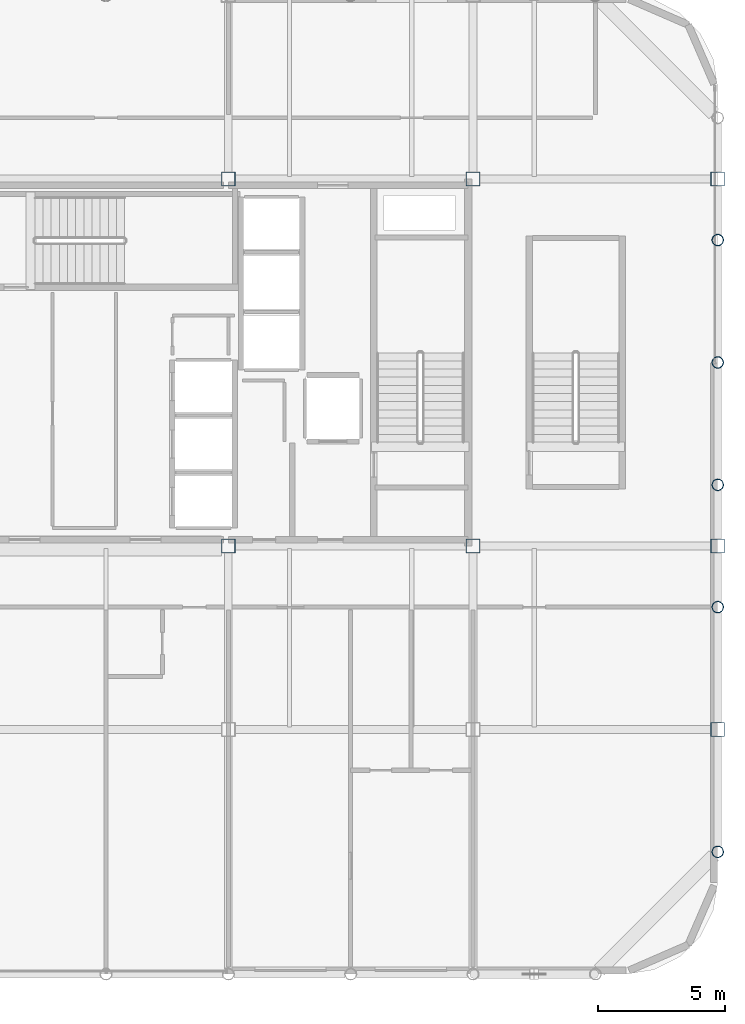
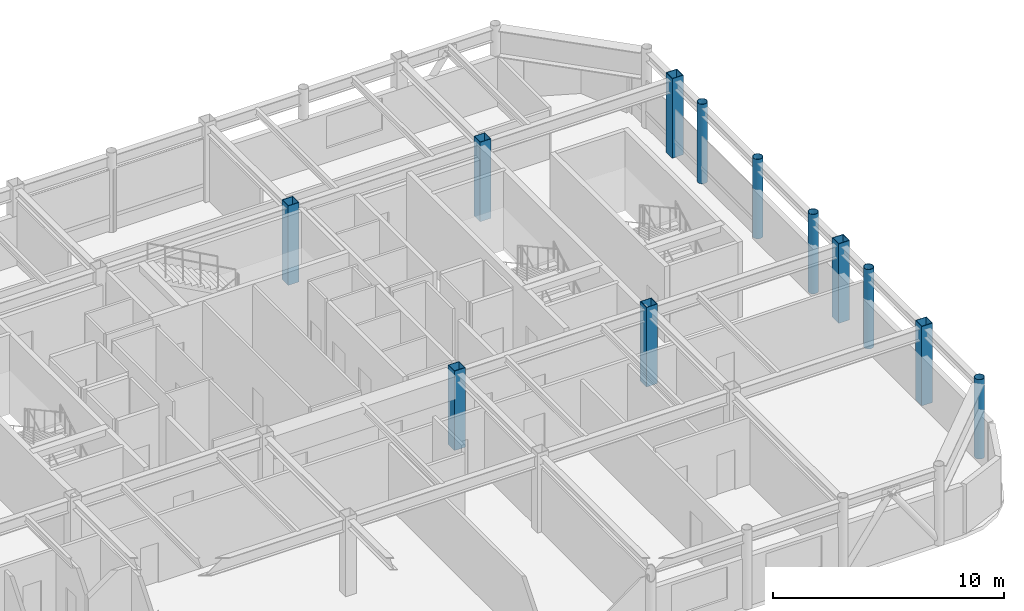
# One storey, part 2 of 21: 12 columns.
"""IFC4 building model written with IfcOpenShell, lengths in metres."""

import ifcopenshell
import ifcopenshell.guid

model = None  # the IFC model being written
_history = None  # IfcOwnerHistory: only IFC2X3 demands one
_inside = {}  # id of a spatial element -> (the spatial element, [elements in it])
_under = {}  # id of a project, library or spatial element -> (it, [spatial elements below it])
_declared = {}  # id of a project -> (the project, [libraries it declares])
_typed = {}  # id of a type object -> (the type object, [elements of that type])
_made_of = {}  # id of a material, layer set ... -> (it, [elements and type objects made of it])


def new_model(schema):
    """Start an empty IFC model of exactly this schema.

    Asked for "IFC4X3", IfcOpenShell would pick the latest addendum, in which some entities
    have other attributes; the version numbers below select the first issue.
    IFC2X3 requires an IfcOwnerHistory on every rooted entity: one is made here for all.
    """
    global model, _history
    if schema == "IFC4X3":
        model = ifcopenshell.file(schema_version=(4, 3, 0, 0))
    else:
        model = ifcopenshell.file(schema=schema)
    _inside.clear()
    _under.clear()
    _declared.clear()
    _typed.clear()
    _made_of.clear()
    _history = None
    if model.schema == "IFC2X3":
        org = make("IfcOrganization", Name="unknown")
        user = make(
            "IfcPersonAndOrganization",
            ThePerson=make("IfcPerson", FamilyName="unknown"),
            TheOrganization=org,
        )
        app = make(
            "IfcApplication",
            ApplicationDeveloper=org,
            Version="unknown",
            ApplicationFullName="unknown",
            ApplicationIdentifier="unknown",
        )
        _history = make(
            "IfcOwnerHistory",
            OwningUser=user,
            OwningApplication=app,
            ChangeAction="ADDED",
            CreationDate=0,
        )
    return model


def make(cls, **values):
    """One entity of the class cls with the attributes given. An attribute that is None is left unset."""
    return model.create_entity(
        cls, **{name: value for name, value in values.items() if value is not None}
    )


def rooted(cls, **values):
    """An entity with a GlobalId (a new one), such as an element, a storey or a relation."""
    return make(cls, GlobalId=ifcopenshell.guid.new(), OwnerHistory=_history, **values)


def si_unit(unit_type, name, prefix=None):
    """IfcSIUnit, for example si_unit("LENGTHUNIT", "METRE", prefix="MILLI")."""
    return make("IfcSIUnit", UnitType=unit_type, Prefix=prefix, Name=name)


def assignment(units):
    """IfcUnitAssignment: the units of a project."""
    return None if units is None else make("IfcUnitAssignment", Units=units)


def point(xyz):
    """IfcCartesianPoint."""
    return None if xyz is None else make("IfcCartesianPoint", Coordinates=xyz)


def direction(xyz):
    """IfcDirection."""
    return None if xyz is None else make("IfcDirection", DirectionRatios=xyz)


def frame(location, z_axis=None, x_axis=None):
    """IfcAxis2Placement3D, a coordinate frame: its origin and axes. An axis left out is left unset."""
    return make(
        "IfcAxis2Placement3D",
        Location=point(location),
        Axis=direction(z_axis),
        RefDirection=direction(x_axis),
    )


def frame_2d(location, x_axis=None):
    """IfcAxis2Placement2D, a coordinate frame in the plane: its origin and x axis."""
    return make(
        "IfcAxis2Placement2D", Location=point(location), RefDirection=direction(x_axis)
    )


def origin():
    """The frame at (0, 0, 0) with its axes left unset."""
    return frame((0.0, 0.0, 0.0))


def origin_2d():
    """The frame at (0, 0) in the plane with its x axis left unset."""
    return frame_2d((0.0, 0.0))


def place(relative_to, where):
    """IfcLocalPlacement: puts the frame where relative to a parent placement (None: the world)."""
    return make(
        "IfcLocalPlacement", PlacementRelTo=relative_to, RelativePlacement=where
    )


def context(
    kind, dimensions, precision=None, world=None, true_north=None, identifier=None
):
    """IfcGeometricRepresentationContext, for example the 3D "Model" context."""
    return make(
        "IfcGeometricRepresentationContext",
        ContextIdentifier=identifier,
        ContextType=kind,
        CoordinateSpaceDimension=dimensions,
        Precision=precision,
        WorldCoordinateSystem=world,
        TrueNorth=true_north,
    )


def subcontext(parent, identifier, kind, view, scale=None):
    """IfcGeometricRepresentationSubContext, for example "Body" below "Model"."""
    return make(
        "IfcGeometricRepresentationSubContext",
        ContextIdentifier=identifier,
        ContextType=kind,
        ParentContext=parent,
        TargetScale=scale,
        TargetView=view,
    )


def project(units=None, contexts=None):
    """IfcProject with its units and contexts."""
    return rooted(
        "IfcProject",
        Name="project",
        RepresentationContexts=contexts,
        UnitsInContext=assignment(units),
    )


def spatial(cls, under=None, at=None, **own):
    """A site, building, storey or space (cls), placed at a placement, below another one or the project."""
    s = rooted(cls, ObjectPlacement=at, **own)
    if under is not None:
        _under.setdefault(under.id(), (under, []))[1].append(s)
    return s


def profile(cls, at=None, kind="AREA", **sizes):
    """A parametric profile (cls). Its sizes go by their IFC names, for example OverallWidth=200.0."""
    return make(cls, ProfileType=kind, Position=at, **sizes)


def hollow_rectangle(**sizes):
    """IfcRectangleHollowProfileDef."""
    return profile("IfcRectangleHollowProfileDef", **sizes)


def hollow_circle(**sizes):
    """IfcCircleHollowProfileDef."""
    return profile("IfcCircleHollowProfileDef", **sizes)


def extrude(swept, where, along, depth):
    """IfcExtrudedAreaSolid: the profile swept, set in the frame where, extruded along a direction by depth."""
    return make(
        "IfcExtrudedAreaSolid",
        SweptArea=swept,
        Position=where,
        ExtrudedDirection=direction(along),
        Depth=depth,
    )


def shape(context_of_items, identifier, shape_type, items):
    """IfcShapeRepresentation: the items that make up one representation, for example the "Body"."""
    return make(
        "IfcShapeRepresentation",
        ContextOfItems=context_of_items,
        RepresentationIdentifier=identifier,
        RepresentationType=shape_type,
        Items=items,
    )


def material(Name=None, Category=None):
    """IfcMaterial."""
    return make("IfcMaterial", Name=Name, Category=Category)


def material_profile(
    of_material, cross_section, Name=None, Category=None, Priority=None
):
    """IfcMaterialProfile: a cross section and its material."""
    return make(
        "IfcMaterialProfile",
        Name=Name,
        Material=of_material,
        Profile=cross_section,
        Priority=Priority,
        Category=Category,
    )


def profile_set(profiles, Name=None, composite=None):
    """IfcMaterialProfileSet."""
    return make(
        "IfcMaterialProfileSet",
        Name=Name,
        MaterialProfiles=profiles,
        CompositeProfile=composite,
    )


def made_of(thing, what):
    """Note that an element or type object is made of a material, layer set ...; save() writes the relation."""
    if what is not None:
        _made_of.setdefault(what.id(), (what, []))[1].append(thing)
    return thing


def type_object(cls, material=None, **own):
    """A type object (cls), such as IfcWallType, which elements share."""
    return made_of(rooted(cls, **own), material)


def element(
    cls,
    number,
    at=None,
    inside=None,
    cuts=None,
    type_object=None,
    material=None,
    context=None,
    identifier="Body",
    shape_type=None,
    held_by="IfcProductDefinitionShape",
    body=None,
    shapes=None,
    **own,
):
    """One element of the class cls, such as IfcWall. Its Tag is "e" and its number.

    at: its placement. inside: the storey or other place that contains it. cuts: it is an
    opening in that element (IfcRelVoidsElement). A single representation is given by context,
    identifier, shape_type and body (its items); several are given by shapes. held_by: the class
    of the entity that holds the representations. save() writes the other relations.
    """
    e = rooted(cls, Tag="e%d" % number, ObjectPlacement=at, **own)
    if body is not None:
        shapes = [shape(context, identifier, shape_type, body)]
    if shapes is not None:
        e.Representation = make(held_by, Representations=shapes)
    if inside is not None:
        _inside.setdefault(inside.id(), (inside, []))[1].append(e)
    if cuts is not None:
        rooted(
            "IfcRelVoidsElement", RelatingBuildingElement=cuts, RelatedOpeningElement=e
        )
    if type_object is not None:
        _typed.setdefault(type_object.id(), (type_object, []))[1].append(e)
    return made_of(e, material)


def aggregate(whole, parts):
    """IfcRelAggregates: a whole, such as a stair, and the parts it consists of."""
    return rooted("IfcRelAggregates", RelatingObject=whole, RelatedObjects=parts)


def save(model, path):
    """Write the relations noted so far, then the file.

    IfcRelAggregates (storeys below a building ...), IfcRelContainedInSpatialStructure (elements
    in a storey), IfcRelDefinesByType, IfcRelAssociatesMaterial and IfcRelDeclares: one each for
    every whole, place, type object, material and project.
    """
    for whole, parts in _under.values():
        aggregate(whole, parts)
    for where, things in _inside.values():
        rooted(
            "IfcRelContainedInSpatialStructure",
            RelatedElements=things,
            RelatingStructure=where,
        )
    for kind, things in _typed.values():
        rooted("IfcRelDefinesByType", RelatedObjects=things, RelatingType=kind)
    for what, things in _made_of.values():
        rooted("IfcRelAssociatesMaterial", RelatedObjects=things, RelatingMaterial=what)
    for by, libraries in _declared.values():
        rooted("IfcRelDeclares", RelatingContext=by, RelatedDefinitions=libraries)
    model.write(path)


model = new_model("IFC4")

# Units and contexts
model_context = context("Model", 3, precision=1e-05, world=origin(), true_north=direction((0.0, 1.0)))
body_context = subcontext(model_context, "Body", "Model", "MODEL_VIEW")
ifc_project = project(units=[si_unit("LENGTHUNIT", "METRE"), si_unit("AREAUNIT", "SQUARE_METRE"), si_unit("VOLUMEUNIT", "CUBIC_METRE"), si_unit("PLANEANGLEUNIT", "RADIAN"), si_unit("MASSUNIT", "GRAM", prefix="KILO")], contexts=[model_context])

# Site, building, storey
site_placement = place(None, origin())
site = spatial("IfcSite", under=ifc_project, at=site_placement, CompositionType="ELEMENT")
building_placement = place(site_placement, origin())
building = spatial("IfcBuilding", under=site, at=building_placement, Name="Kallvorn Hotel Tower", CompositionType="ELEMENT")
storey_placement = place(building_placement, frame((0.0, 0.0, 286.39990234375)))
storey = spatial("IfcBuildingStorey", under=building, at=storey_placement, Name="L71", CompositionType="ELEMENT", Elevation=286.39990234375)

# Columns
ifc_material_1 = material(Name="Structural steel S355J2H", Category="steel")
ifc_material_profile_1 = material_profile(ifc_material_1, hollow_circle(Radius=0.228515625, WallThickness=0.02001953125, at=origin_2d()), Name="CHS 457x20")
ifc_profile_set_1 = profile_set([ifc_material_profile_1], Name="Structural steel S355J2H")
column_type_1 = type_object("IfcColumnType", Name="COL_CHS_457", PredefinedType="COLUMN", material=ifc_profile_set_1)
for number, where, z_axis, x_axis, name in (
    (1, (24.0, -19.199951171875, 0.0), (0.0, 0.0, 1.0), (1.0, 0.0, 0.0), "L71 Exoskeleton Column EC23"),
    (2, (24.0, -9.60009765625, 0.0), (0.0, 0.0, 1.0), (1.0, 0.0, 0.0), "L71 Exoskeleton Column EC24"),
    (3, (24.0, -4.800048828125, 0.0), (0.0, 0.0, 1.0), (1.0, 0.0, 0.0), "L71 Exoskeleton Column EC25"),
    (4, (24.0, 0.0, 0.0), (0.0, 0.0, 1.0), (1.0, 0.0, 0.0), "L71 Exoskeleton Column EC26"),
    (5, (24.0, 4.800048828125, 0.0), (0.0, 0.0, 1.0), (1.0, 0.0, 0.0), "L71 Exoskeleton Column EC27"),
):
    element("IfcColumn", number, at=place(storey_placement, frame(where, z_axis=z_axis, x_axis=x_axis)), inside=storey, type_object=column_type_1, Name=name, PredefinedType="COLUMN", context=body_context, shape_type="SweptSolid", body=[
        extrude(hollow_circle(Radius=0.228515625, WallThickness=0.02001953125, at=origin_2d()), origin(), (0.0, 0.0, 1.0), 4.2001953125),
    ])
ifc_material_2 = material(Name="Structural steel S355J2H", Category="steel")
ifc_material_profile_2 = material_profile(ifc_material_2, hollow_rectangle(XDim=0.550048828125, YDim=0.550048828125, WallThickness=0.02490234375, at=origin_2d()), Name="RHS 550x550x25")
ifc_profile_set_2 = profile_set([ifc_material_profile_2], Name="Structural steel S355J2H")
column_type_2 = type_object("IfcColumnType", Name="COL_RHS_550", PredefinedType="COLUMN", material=ifc_profile_set_2)
for number, where, z_axis, x_axis, name in (
    (6, (4.800048828125, -7.199951171875, 0.0), (0.0, 0.0, 1.0), (1.0, 0.0, 0.0), "L71 Inner Column IC14"),
    (7, (4.800048828125, 7.199951171875, 0.0), (0.0, 0.0, 1.0), (1.0, 0.0, 0.0), "L71 Inner Column IC15"),
    (8, (14.39990234375, -7.199951171875, 0.0), (0.0, 0.0, 1.0), (1.0, 0.0, 0.0), "L71 Inner Column IC18"),
    (9, (14.39990234375, 7.199951171875, 0.0), (0.0, 0.0, 1.0), (1.0, 0.0, 0.0), "L71 Inner Column IC19"),
    (10, (24.0, -14.39990234375, 0.0), (0.0, 0.0, 1.0), (1.0, 0.0, 0.0), "L71 Inner Column IC21"),
    (11, (24.0, -7.199951171875, 0.0), (0.0, 0.0, 1.0), (1.0, 0.0, 0.0), "L71 Inner Column IC22"),
    (12, (24.0, 7.199951171875, 0.0), (0.0, 0.0, 1.0), (1.0, 0.0, 0.0), "L71 Inner Column IC23"),
):
    element("IfcColumn", number, at=place(storey_placement, frame(where, z_axis=z_axis, x_axis=x_axis)), inside=storey, type_object=column_type_2, Name=name, PredefinedType="COLUMN", context=body_context, shape_type="SweptSolid", body=[
        extrude(hollow_rectangle(XDim=0.550048828125, YDim=0.550048828125, WallThickness=0.02490234375, at=origin_2d()), origin(), (0.0, 0.0, 1.0), 4.2001953125),
    ])

save(model, "model.ifc")
